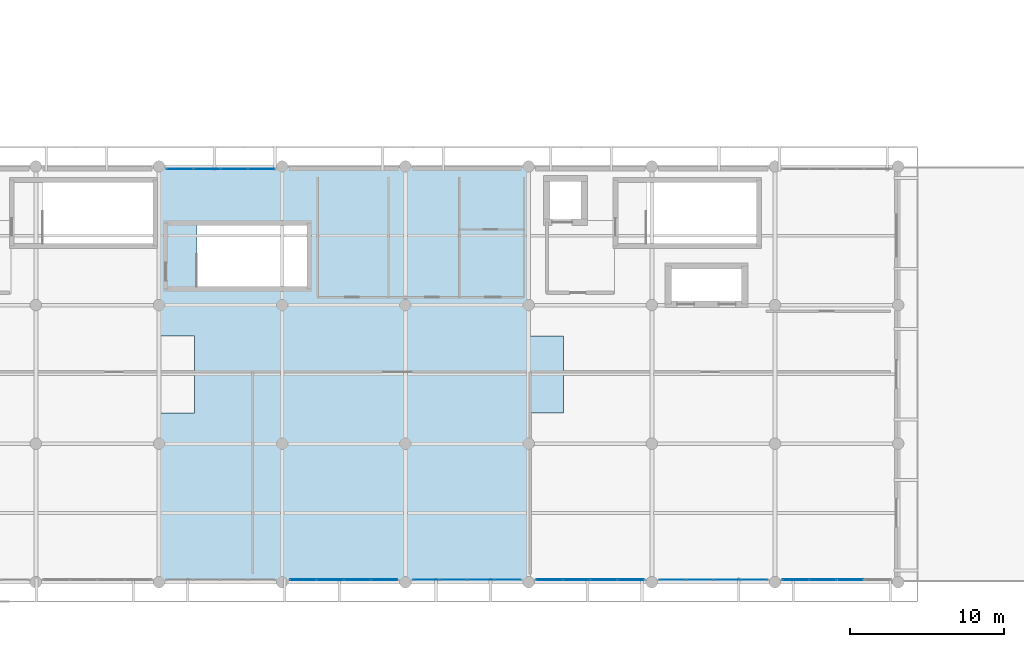
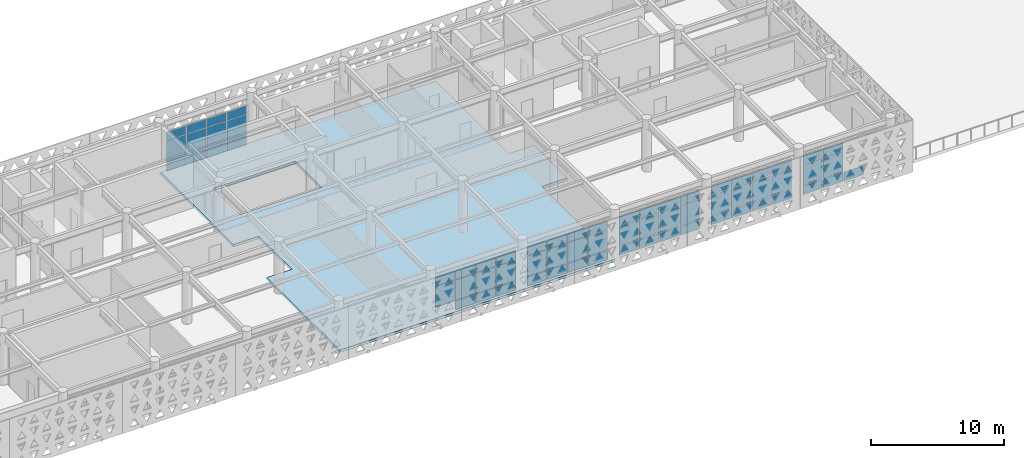
# One storey, part 16 of 26: 66 plates, 1 slab, 6 elements without a shape of their own.
"""IFC4 building model written with IfcOpenShell, lengths in metres."""

import ifcopenshell
import ifcopenshell.guid

model = None  # the IFC model being written
_history = None  # IfcOwnerHistory: only IFC2X3 demands one
_inside = {}  # id of a spatial element -> (the spatial element, [elements in it])
_under = {}  # id of a project, library or spatial element -> (it, [spatial elements below it])
_declared = {}  # id of a project -> (the project, [libraries it declares])
_typed = {}  # id of a type object -> (the type object, [elements of that type])
_made_of = {}  # id of a material, layer set ... -> (it, [elements and type objects made of it])


def new_model(schema):
    """Start an empty IFC model of exactly this schema.

    Asked for "IFC4X3", IfcOpenShell would pick the latest addendum, in which some entities
    have other attributes; the version numbers below select the first issue.
    IFC2X3 requires an IfcOwnerHistory on every rooted entity: one is made here for all.
    """
    global model, _history
    if schema == "IFC4X3":
        model = ifcopenshell.file(schema_version=(4, 3, 0, 0))
    else:
        model = ifcopenshell.file(schema=schema)
    _inside.clear()
    _under.clear()
    _declared.clear()
    _typed.clear()
    _made_of.clear()
    _history = None
    if model.schema == "IFC2X3":
        org = make("IfcOrganization", Name="unknown")
        user = make(
            "IfcPersonAndOrganization",
            ThePerson=make("IfcPerson", FamilyName="unknown"),
            TheOrganization=org,
        )
        app = make(
            "IfcApplication",
            ApplicationDeveloper=org,
            Version="unknown",
            ApplicationFullName="unknown",
            ApplicationIdentifier="unknown",
        )
        _history = make(
            "IfcOwnerHistory",
            OwningUser=user,
            OwningApplication=app,
            ChangeAction="ADDED",
            CreationDate=0,
        )
    return model


def make(cls, **values):
    """One entity of the class cls with the attributes given. An attribute that is None is left unset."""
    return model.create_entity(
        cls, **{name: value for name, value in values.items() if value is not None}
    )


def rooted(cls, **values):
    """An entity with a GlobalId (a new one), such as an element, a storey or a relation."""
    return make(cls, GlobalId=ifcopenshell.guid.new(), OwnerHistory=_history, **values)


def si_unit(unit_type, name, prefix=None):
    """IfcSIUnit, for example si_unit("LENGTHUNIT", "METRE", prefix="MILLI")."""
    return make("IfcSIUnit", UnitType=unit_type, Prefix=prefix, Name=name)


def assignment(units):
    """IfcUnitAssignment: the units of a project."""
    return None if units is None else make("IfcUnitAssignment", Units=units)


def point(xyz):
    """IfcCartesianPoint."""
    return None if xyz is None else make("IfcCartesianPoint", Coordinates=xyz)


def direction(xyz):
    """IfcDirection."""
    return None if xyz is None else make("IfcDirection", DirectionRatios=xyz)


def frame(location, z_axis=None, x_axis=None):
    """IfcAxis2Placement3D, a coordinate frame: its origin and axes. An axis left out is left unset."""
    return make(
        "IfcAxis2Placement3D",
        Location=point(location),
        Axis=direction(z_axis),
        RefDirection=direction(x_axis),
    )


def frame_2d(location, x_axis=None):
    """IfcAxis2Placement2D, a coordinate frame in the plane: its origin and x axis."""
    return make(
        "IfcAxis2Placement2D", Location=point(location), RefDirection=direction(x_axis)
    )


def origin():
    """The frame at (0, 0, 0) with its axes left unset."""
    return frame((0.0, 0.0, 0.0))


def origin_2d():
    """The frame at (0, 0) in the plane with its x axis left unset."""
    return frame_2d((0.0, 0.0))


def place(relative_to, where):
    """IfcLocalPlacement: puts the frame where relative to a parent placement (None: the world)."""
    return make(
        "IfcLocalPlacement", PlacementRelTo=relative_to, RelativePlacement=where
    )


def context(
    kind, dimensions, precision=None, world=None, true_north=None, identifier=None
):
    """IfcGeometricRepresentationContext, for example the 3D "Model" context."""
    return make(
        "IfcGeometricRepresentationContext",
        ContextIdentifier=identifier,
        ContextType=kind,
        CoordinateSpaceDimension=dimensions,
        Precision=precision,
        WorldCoordinateSystem=world,
        TrueNorth=true_north,
    )


def subcontext(parent, identifier, kind, view, scale=None):
    """IfcGeometricRepresentationSubContext, for example "Body" below "Model"."""
    return make(
        "IfcGeometricRepresentationSubContext",
        ContextIdentifier=identifier,
        ContextType=kind,
        ParentContext=parent,
        TargetScale=scale,
        TargetView=view,
    )


def project(units=None, contexts=None):
    """IfcProject with its units and contexts."""
    return rooted(
        "IfcProject",
        Name="project",
        RepresentationContexts=contexts,
        UnitsInContext=assignment(units),
    )


def spatial(cls, under=None, at=None, **own):
    """A site, building, storey or space (cls), placed at a placement, below another one or the project."""
    s = rooted(cls, ObjectPlacement=at, **own)
    if under is not None:
        _under.setdefault(under.id(), (under, []))[1].append(s)
    return s


def polyline(points):
    """IfcPolyline through the points."""
    return make("IfcPolyline", Points=[point(p) for p in points])


def profile(cls, at=None, kind="AREA", **sizes):
    """A parametric profile (cls). Its sizes go by their IFC names, for example OverallWidth=200.0."""
    return make(cls, ProfileType=kind, Position=at, **sizes)


def rectangle(**sizes):
    """IfcRectangleProfileDef."""
    return profile("IfcRectangleProfileDef", **sizes)


def outline(outer, holes=None, kind="AREA"):
    """IfcArbitraryClosedProfileDef: a profile drawn as a closed curve; with holes, ...WithVoids."""
    if holes is None:
        return make("IfcArbitraryClosedProfileDef", ProfileType=kind, OuterCurve=outer)
    return make(
        "IfcArbitraryProfileDefWithVoids",
        ProfileType=kind,
        OuterCurve=outer,
        InnerCurves=holes,
    )


def extrude(swept, where, along, depth):
    """IfcExtrudedAreaSolid: the profile swept, set in the frame where, extruded along a direction by depth."""
    return make(
        "IfcExtrudedAreaSolid",
        SweptArea=swept,
        Position=where,
        ExtrudedDirection=direction(along),
        Depth=depth,
    )


def shape(context_of_items, identifier, shape_type, items):
    """IfcShapeRepresentation: the items that make up one representation, for example the "Body"."""
    return make(
        "IfcShapeRepresentation",
        ContextOfItems=context_of_items,
        RepresentationIdentifier=identifier,
        RepresentationType=shape_type,
        Items=items,
    )


def material(Name=None, Category=None):
    """IfcMaterial."""
    return make("IfcMaterial", Name=Name, Category=Category)


def layer(
    of_material, thickness, ventilated=None, Name=None, Category=None, Priority=None
):
    """IfcMaterialLayer: one layer of a wall or slab, of a material (None: an air gap)."""
    return make(
        "IfcMaterialLayer",
        Material=of_material,
        LayerThickness=thickness,
        IsVentilated=ventilated,
        Name=Name,
        Category=Category,
        Priority=Priority,
    )


def layer_set(layers, Name=None):
    """IfcMaterialLayerSet."""
    return make("IfcMaterialLayerSet", MaterialLayers=layers, LayerSetName=Name)


def made_of(thing, what):
    """Note that an element or type object is made of a material, layer set ...; save() writes the relation."""
    if what is not None:
        _made_of.setdefault(what.id(), (what, []))[1].append(thing)
    return thing


def type_object(cls, material=None, **own):
    """A type object (cls), such as IfcWallType, which elements share."""
    return made_of(rooted(cls, **own), material)


def element(
    cls,
    number,
    at=None,
    inside=None,
    cuts=None,
    type_object=None,
    material=None,
    context=None,
    identifier="Body",
    shape_type=None,
    held_by="IfcProductDefinitionShape",
    body=None,
    shapes=None,
    **own,
):
    """One element of the class cls, such as IfcWall. Its Tag is "e" and its number.

    at: its placement. inside: the storey or other place that contains it. cuts: it is an
    opening in that element (IfcRelVoidsElement). A single representation is given by context,
    identifier, shape_type and body (its items); several are given by shapes. held_by: the class
    of the entity that holds the representations. save() writes the other relations.
    """
    e = rooted(cls, Tag="e%d" % number, ObjectPlacement=at, **own)
    if body is not None:
        shapes = [shape(context, identifier, shape_type, body)]
    if shapes is not None:
        e.Representation = make(held_by, Representations=shapes)
    if inside is not None:
        _inside.setdefault(inside.id(), (inside, []))[1].append(e)
    if cuts is not None:
        rooted(
            "IfcRelVoidsElement", RelatingBuildingElement=cuts, RelatedOpeningElement=e
        )
    if type_object is not None:
        _typed.setdefault(type_object.id(), (type_object, []))[1].append(e)
    return made_of(e, material)


def aggregate(whole, parts):
    """IfcRelAggregates: a whole, such as a stair, and the parts it consists of."""
    return rooted("IfcRelAggregates", RelatingObject=whole, RelatedObjects=parts)


def save(model, path):
    """Write the relations noted so far, then the file.

    IfcRelAggregates (storeys below a building ...), IfcRelContainedInSpatialStructure (elements
    in a storey), IfcRelDefinesByType, IfcRelAssociatesMaterial and IfcRelDeclares: one each for
    every whole, place, type object, material and project.
    """
    for whole, parts in _under.values():
        aggregate(whole, parts)
    for where, things in _inside.values():
        rooted(
            "IfcRelContainedInSpatialStructure",
            RelatedElements=things,
            RelatingStructure=where,
        )
    for kind, things in _typed.values():
        rooted("IfcRelDefinesByType", RelatedObjects=things, RelatingType=kind)
    for what, things in _made_of.values():
        rooted("IfcRelAssociatesMaterial", RelatedObjects=things, RelatingMaterial=what)
    for by, libraries in _declared.values():
        rooted("IfcRelDeclares", RelatingContext=by, RelatedDefinitions=libraries)
    model.write(path)


model = new_model("IFC4")

# Units and contexts
model_context = context("Model", 3, precision=1e-05, world=origin(), true_north=direction((0.0, 1.0)))
body_context = subcontext(model_context, "Body", "Model", "MODEL_VIEW")
ifc_project = project(units=[si_unit("LENGTHUNIT", "METRE"), si_unit("AREAUNIT", "SQUARE_METRE"), si_unit("VOLUMEUNIT", "CUBIC_METRE"), si_unit("PLANEANGLEUNIT", "RADIAN"), si_unit("MASSUNIT", "GRAM", prefix="KILO")], contexts=[model_context])

# Site, building, storey
site_placement = place(None, origin())
site = spatial("IfcSite", under=ifc_project, at=site_placement, CompositionType="ELEMENT")
building_placement = place(site_placement, origin())
building = spatial("IfcBuilding", under=site, at=building_placement, Name="Tlacozan Convention Centre", CompositionType="ELEMENT")
storey_placement = place(building_placement, frame((0.0, 0.0, 21.0)))
storey = spatial("IfcBuildingStorey", under=building, at=storey_placement, Name="L04", CompositionType="ELEMENT", Elevation=21.0)

# Slab
ifc_material_1 = material(Name="Concrete C40/50", Category="concrete")
ifc_layer_1 = layer(ifc_material_1, 0.239990234375)
ifc_layer_set_1 = layer_set([ifc_layer_1], Name="Concrete C40/50")
slab_type = type_object("IfcSlabType", Name="Belvedere Congress Floor Slab 240", PredefinedType="FLOOR", material=ifc_layer_set_1)
slab_placement = place(storey_placement, frame((0.0, 0.0, -0.239990234375)))
element("IfcSlab", 1, at=slab_placement, inside=storey, type_object=slab_type, Name="L04 Belvedere Congress Floor Slab 240 86", PredefinedType="FLOOR", context=body_context, shape_type="SweptSolid", body=[
    extrude(outline(polyline([(48.10009765625, 11.0), (50.300048828125, 11.0), (50.300048828125, 16.0), (48.10009765625, 16.0), (48.10009765625, 27.0), (72.050048828125, 27.0), (72.050048828125, 16.0), (74.25, 16.0), (74.25, 11.0), (72.050048828125, 11.0), (72.050048828125, 0.0), (48.10009765625, 0.0), (48.10009765625, 11.0)]), holes=[polyline([(57.60009765625, 19.199951171875), (57.60009765625, 23.159912109375), (50.47998046875, 23.159912109375), (50.47998046875, 19.199951171875), (57.60009765625, 19.199951171875)])]), origin(), (0.0, 0.0, 1.0), 0.239990234375),
])

# Curtain wall, plates
ifc_material_2 = material(Name="Dark Bronze Anodised Aluminium", Category="aluminium")
ifc_layer_2 = layer(ifc_material_2, 0.159912109375)
ifc_layer_set_2 = layer_set([ifc_layer_2], Name="Dark Bronze Anodised Aluminium")
curtain_wall_type = type_object("IfcCurtainWallType", Name="Unitised Congress L04 South CW05", PredefinedType="NOTDEFINED", material=ifc_layer_set_2)
curtain_wall_1_placement = place(storey_placement, origin())
curtain_wall_1 = element("IfcCurtainWall", 2, at=curtain_wall_1_placement, inside=storey, type_object=curtain_wall_type, Name="L04 CW-05 Run 136", PredefinedType="NOTDEFINED")
ifc_material_3 = material(Name="Solar Control Double Low-E Argon Glazing", Category="glass")
ifc_layer_3 = layer(ifc_material_3, 0.030029296875)
ifc_layer_set_3 = layer_set([ifc_layer_3], Name="Solar Control Double Low-E Argon Glazing")
plate_type_1 = type_object("IfcPlateType", Name="Double Low-E Acoustic CW Panel 30", PredefinedType="CURTAIN_PANEL", material=ifc_layer_set_3)
plate_1_placement = place(storey_placement, frame((49.353759765625, 26.840087890625, 0.06494140625), z_axis=(0.0, 0.0, 1.0), x_axis=(1.0, 0.0, 0.0)))
plate_1 = element("IfcPlate", 3, at=plate_1_placement, type_object=plate_type_1, Name="CW-05 panel 1.1", PredefinedType="CURTAIN_PANEL", context=body_context, shape_type="SweptSolid", body=[
    extrude(rectangle(XDim=1.677490234375, YDim=0.030029296875, at=origin_2d()), origin(), (0.0, 0.0, 1.0), 0.802490234375),
])
plate_2_placement = place(storey_placement, frame((49.353759765625, 26.840087890625, 0.9326171875), z_axis=(0.0, 0.0, 1.0), x_axis=(1.0, 0.0, 0.0)))
plate_2 = element("IfcPlate", 4, at=plate_2_placement, type_object=plate_type_1, Name="CW-05 panel 1.2", PredefinedType="CURTAIN_PANEL", context=body_context, shape_type="SweptSolid", body=[
    extrude(rectangle(XDim=1.677490234375, YDim=0.030029296875, at=origin_2d()), origin(), (0.0, 0.0, 1.0), 1.864990234375),
])
plate_3_placement = place(storey_placement, frame((49.353759765625, 26.840087890625, 2.862548828125), z_axis=(0.0, 0.0, 1.0), x_axis=(1.0, 0.0, 0.0)))
plate_3 = element("IfcPlate", 5, at=plate_3_placement, type_object=plate_type_1, Name="CW-05 panel 1.3", PredefinedType="CURTAIN_PANEL", context=body_context, shape_type="SweptSolid", body=[
    extrude(rectangle(XDim=1.677490234375, YDim=0.030029296875, at=origin_2d()), origin(), (0.0, 0.0, 1.0), 0.75244140625),
])
plate_4_placement = place(storey_placement, frame((51.112548828125, 26.840087890625, 0.06494140625), z_axis=(0.0, 0.0, 1.0), x_axis=(1.0, 0.0, 0.0)))
plate_4 = element("IfcPlate", 6, at=plate_4_placement, type_object=plate_type_1, Name="CW-05 panel 2.1", PredefinedType="CURTAIN_PANEL", context=body_context, shape_type="SweptSolid", body=[
    extrude(rectangle(XDim=1.7099609375, YDim=0.030029296875, at=origin_2d()), origin(), (0.0, 0.0, 1.0), 0.802490234375),
])
plate_5_placement = place(storey_placement, frame((51.112548828125, 26.840087890625, 0.9326171875), z_axis=(0.0, 0.0, 1.0), x_axis=(1.0, 0.0, 0.0)))
plate_5 = element("IfcPlate", 7, at=plate_5_placement, type_object=plate_type_1, Name="CW-05 panel 2.2", PredefinedType="CURTAIN_PANEL", context=body_context, shape_type="SweptSolid", body=[
    extrude(rectangle(XDim=1.7099609375, YDim=0.030029296875, at=origin_2d()), origin(), (0.0, 0.0, 1.0), 1.864990234375),
])
plate_6_placement = place(storey_placement, frame((51.112548828125, 26.840087890625, 2.862548828125), z_axis=(0.0, 0.0, 1.0), x_axis=(1.0, 0.0, 0.0)))
plate_6 = element("IfcPlate", 8, at=plate_6_placement, type_object=plate_type_1, Name="CW-05 panel 2.3", PredefinedType="CURTAIN_PANEL", context=body_context, shape_type="SweptSolid", body=[
    extrude(rectangle(XDim=1.7099609375, YDim=0.030029296875, at=origin_2d()), origin(), (0.0, 0.0, 1.0), 0.75244140625),
])
plate_7_placement = place(storey_placement, frame((52.887451171875, 26.840087890625, 0.06494140625), z_axis=(0.0, 0.0, 1.0), x_axis=(1.0, 0.0, 0.0)))
plate_7 = element("IfcPlate", 9, at=plate_7_placement, type_object=plate_type_1, Name="CW-05 panel 3.1", PredefinedType="CURTAIN_PANEL", context=body_context, shape_type="SweptSolid", body=[
    extrude(rectangle(XDim=1.7099609375, YDim=0.030029296875, at=origin_2d()), origin(), (0.0, 0.0, 1.0), 0.802490234375),
])
plate_8_placement = place(storey_placement, frame((52.887451171875, 26.840087890625, 0.9326171875), z_axis=(0.0, 0.0, 1.0), x_axis=(1.0, 0.0, 0.0)))
plate_8 = element("IfcPlate", 10, at=plate_8_placement, type_object=plate_type_1, Name="CW-05 panel 3.2", PredefinedType="CURTAIN_PANEL", context=body_context, shape_type="SweptSolid", body=[
    extrude(rectangle(XDim=1.7099609375, YDim=0.030029296875, at=origin_2d()), origin(), (0.0, 0.0, 1.0), 1.864990234375),
])
plate_9_placement = place(storey_placement, frame((52.887451171875, 26.840087890625, 2.862548828125), z_axis=(0.0, 0.0, 1.0), x_axis=(1.0, 0.0, 0.0)))
plate_9 = element("IfcPlate", 11, at=plate_9_placement, type_object=plate_type_1, Name="CW-05 panel 3.3", PredefinedType="CURTAIN_PANEL", context=body_context, shape_type="SweptSolid", body=[
    extrude(rectangle(XDim=1.7099609375, YDim=0.030029296875, at=origin_2d()), origin(), (0.0, 0.0, 1.0), 0.75244140625),
])
plate_10_placement = place(storey_placement, frame((54.646240234375, 26.840087890625, 0.06494140625), z_axis=(0.0, 0.0, 1.0), x_axis=(1.0, 0.0, 0.0)))
plate_10 = element("IfcPlate", 12, at=plate_10_placement, type_object=plate_type_1, Name="CW-05 panel 4.1", PredefinedType="CURTAIN_PANEL", context=body_context, shape_type="SweptSolid", body=[
    extrude(rectangle(XDim=1.677490234375, YDim=0.030029296875, at=origin_2d()), origin(), (0.0, 0.0, 1.0), 0.802490234375),
])
plate_11_placement = place(storey_placement, frame((54.646240234375, 26.840087890625, 0.9326171875), z_axis=(0.0, 0.0, 1.0), x_axis=(1.0, 0.0, 0.0)))
plate_11 = element("IfcPlate", 13, at=plate_11_placement, type_object=plate_type_1, Name="CW-05 panel 4.2", PredefinedType="CURTAIN_PANEL", context=body_context, shape_type="SweptSolid", body=[
    extrude(rectangle(XDim=1.677490234375, YDim=0.030029296875, at=origin_2d()), origin(), (0.0, 0.0, 1.0), 1.864990234375),
])
plate_12_placement = place(storey_placement, frame((54.646240234375, 26.840087890625, 2.862548828125), z_axis=(0.0, 0.0, 1.0), x_axis=(1.0, 0.0, 0.0)))
plate_12 = element("IfcPlate", 14, at=plate_12_placement, type_object=plate_type_1, Name="CW-05 panel 4.3", PredefinedType="CURTAIN_PANEL", context=body_context, shape_type="SweptSolid", body=[
    extrude(rectangle(XDim=1.677490234375, YDim=0.030029296875, at=origin_2d()), origin(), (0.0, 0.0, 1.0), 0.75244140625),
])
aggregate(curtain_wall_1, [plate_1, plate_2, plate_3, plate_4, plate_5, plate_6, plate_7, plate_8, plate_9, plate_10, plate_11, plate_12])

curtain_wall_2_placement = place(storey_placement, origin())
curtain_wall_2 = element("IfcCurtainWall", 15, at=curtain_wall_2_placement, inside=storey, type_object=curtain_wall_type, Name="L04 CW-05 Run 130", PredefinedType="NOTDEFINED")
ifc_layer_4 = layer(ifc_material_3, 0.02001953125)
ifc_layer_set_4 = layer_set([ifc_layer_4], Name="Solar Control Double Low-E Argon Glazing")
plate_type_2 = type_object("IfcPlateType", Name="Double Low-E Glazed CW Panel 20", PredefinedType="CURTAIN_PANEL", material=ifc_layer_set_4)
plate_13_placement = place(storey_placement, frame((65.353759765625, 0.159912109375, 0.06494140625), z_axis=(0.0, 0.0, 1.0), x_axis=(1.0, 0.0, 0.0)))
plate_13 = element("IfcPlate", 16, at=plate_13_placement, type_object=plate_type_2, Name="CW-05 panel 1.1", PredefinedType="CURTAIN_PANEL", context=body_context, shape_type="SweptSolid", body=[
    extrude(rectangle(XDim=1.677490234375, YDim=0.02001953125, at=origin_2d()), origin(), (0.0, 0.0, 1.0), 0.802490234375),
])
plate_14_placement = place(storey_placement, frame((65.353759765625, 0.159912109375, 0.9326171875), z_axis=(0.0, 0.0, 1.0), x_axis=(1.0, 0.0, 0.0)))
plate_14 = element("IfcPlate", 17, at=plate_14_placement, type_object=plate_type_2, Name="CW-05 panel 1.2", PredefinedType="CURTAIN_PANEL", context=body_context, shape_type="SweptSolid", body=[
    extrude(rectangle(XDim=1.677490234375, YDim=0.02001953125, at=origin_2d()), origin(), (0.0, 0.0, 1.0), 1.864990234375),
])
plate_15_placement = place(storey_placement, frame((65.353759765625, 0.159912109375, 2.862548828125), z_axis=(0.0, 0.0, 1.0), x_axis=(1.0, 0.0, 0.0)))
plate_15 = element("IfcPlate", 18, at=plate_15_placement, type_object=plate_type_2, Name="CW-05 panel 1.3", PredefinedType="CURTAIN_PANEL", context=body_context, shape_type="SweptSolid", body=[
    extrude(rectangle(XDim=1.677490234375, YDim=0.02001953125, at=origin_2d()), origin(), (0.0, 0.0, 1.0), 0.75244140625),
])
plate_16_placement = place(storey_placement, frame((67.112548828125, 0.159912109375, 0.06494140625), z_axis=(0.0, 0.0, 1.0), x_axis=(1.0, 0.0, 0.0)))
plate_16 = element("IfcPlate", 19, at=plate_16_placement, type_object=plate_type_2, Name="CW-05 panel 2.1", PredefinedType="CURTAIN_PANEL", context=body_context, shape_type="SweptSolid", body=[
    extrude(rectangle(XDim=1.7099609375, YDim=0.02001953125, at=origin_2d()), origin(), (0.0, 0.0, 1.0), 0.802490234375),
])
plate_17_placement = place(storey_placement, frame((67.112548828125, 0.159912109375, 0.9326171875), z_axis=(0.0, 0.0, 1.0), x_axis=(1.0, 0.0, 0.0)))
plate_17 = element("IfcPlate", 20, at=plate_17_placement, type_object=plate_type_2, Name="CW-05 panel 2.2", PredefinedType="CURTAIN_PANEL", context=body_context, shape_type="SweptSolid", body=[
    extrude(rectangle(XDim=1.7099609375, YDim=0.02001953125, at=origin_2d()), origin(), (0.0, 0.0, 1.0), 1.864990234375),
])
plate_18_placement = place(storey_placement, frame((67.112548828125, 0.159912109375, 2.862548828125), z_axis=(0.0, 0.0, 1.0), x_axis=(1.0, 0.0, 0.0)))
plate_18 = element("IfcPlate", 21, at=plate_18_placement, type_object=plate_type_2, Name="CW-05 panel 2.3", PredefinedType="CURTAIN_PANEL", context=body_context, shape_type="SweptSolid", body=[
    extrude(rectangle(XDim=1.7099609375, YDim=0.02001953125, at=origin_2d()), origin(), (0.0, 0.0, 1.0), 0.75244140625),
])
plate_19_placement = place(storey_placement, frame((68.887451171875, 0.159912109375, 0.06494140625), z_axis=(0.0, 0.0, 1.0), x_axis=(1.0, 0.0, 0.0)))
plate_19 = element("IfcPlate", 22, at=plate_19_placement, type_object=plate_type_2, Name="CW-05 panel 3.1", PredefinedType="CURTAIN_PANEL", context=body_context, shape_type="SweptSolid", body=[
    extrude(rectangle(XDim=1.7099609375, YDim=0.02001953125, at=origin_2d()), origin(), (0.0, 0.0, 1.0), 0.802490234375),
])
plate_20_placement = place(storey_placement, frame((68.887451171875, 0.159912109375, 0.9326171875), z_axis=(0.0, 0.0, 1.0), x_axis=(1.0, 0.0, 0.0)))
plate_20 = element("IfcPlate", 23, at=plate_20_placement, type_object=plate_type_2, Name="CW-05 panel 3.2", PredefinedType="CURTAIN_PANEL", context=body_context, shape_type="SweptSolid", body=[
    extrude(rectangle(XDim=1.7099609375, YDim=0.02001953125, at=origin_2d()), origin(), (0.0, 0.0, 1.0), 1.864990234375),
])
plate_21_placement = place(storey_placement, frame((68.887451171875, 0.159912109375, 2.862548828125), z_axis=(0.0, 0.0, 1.0), x_axis=(1.0, 0.0, 0.0)))
plate_21 = element("IfcPlate", 24, at=plate_21_placement, type_object=plate_type_2, Name="CW-05 panel 3.3", PredefinedType="CURTAIN_PANEL", context=body_context, shape_type="SweptSolid", body=[
    extrude(rectangle(XDim=1.7099609375, YDim=0.02001953125, at=origin_2d()), origin(), (0.0, 0.0, 1.0), 0.75244140625),
])
plate_22_placement = place(storey_placement, frame((70.646240234375, 0.159912109375, 0.06494140625), z_axis=(0.0, 0.0, 1.0), x_axis=(1.0, 0.0, 0.0)))
plate_22 = element("IfcPlate", 25, at=plate_22_placement, type_object=plate_type_2, Name="CW-05 panel 4.1", PredefinedType="CURTAIN_PANEL", context=body_context, shape_type="SweptSolid", body=[
    extrude(rectangle(XDim=1.677490234375, YDim=0.02001953125, at=origin_2d()), origin(), (0.0, 0.0, 1.0), 0.802490234375),
])
plate_23_placement = place(storey_placement, frame((70.646240234375, 0.159912109375, 0.9326171875), z_axis=(0.0, 0.0, 1.0), x_axis=(1.0, 0.0, 0.0)))
plate_23 = element("IfcPlate", 26, at=plate_23_placement, type_object=plate_type_2, Name="CW-05 panel 4.2", PredefinedType="CURTAIN_PANEL", context=body_context, shape_type="SweptSolid", body=[
    extrude(rectangle(XDim=1.677490234375, YDim=0.02001953125, at=origin_2d()), origin(), (0.0, 0.0, 1.0), 1.864990234375),
])
plate_24_placement = place(storey_placement, frame((70.646240234375, 0.159912109375, 2.862548828125), z_axis=(0.0, 0.0, 1.0), x_axis=(1.0, 0.0, 0.0)))
plate_24 = element("IfcPlate", 27, at=plate_24_placement, type_object=plate_type_2, Name="CW-05 panel 4.3", PredefinedType="CURTAIN_PANEL", context=body_context, shape_type="SweptSolid", body=[
    extrude(rectangle(XDim=1.677490234375, YDim=0.02001953125, at=origin_2d()), origin(), (0.0, 0.0, 1.0), 0.75244140625),
])
aggregate(curtain_wall_2, [plate_13, plate_14, plate_15, plate_16, plate_17, plate_18, plate_19, plate_20, plate_21, plate_22, plate_23, plate_24])

curtain_wall_3_placement = place(storey_placement, origin())
curtain_wall_3 = element("IfcCurtainWall", 28, at=curtain_wall_3_placement, inside=storey, type_object=curtain_wall_type, Name="L04 CW-05 Run 132", PredefinedType="NOTDEFINED")
plate_25_placement = place(storey_placement, frame((81.353759765625, 0.159912109375, 0.06494140625), z_axis=(0.0, 0.0, 1.0), x_axis=(1.0, 0.0, 0.0)))
plate_25 = element("IfcPlate", 29, at=plate_25_placement, type_object=plate_type_2, Name="CW-05 panel 1.1", PredefinedType="CURTAIN_PANEL", context=body_context, shape_type="SweptSolid", body=[
    extrude(rectangle(XDim=1.677490234375, YDim=0.02001953125, at=origin_2d()), origin(), (0.0, 0.0, 1.0), 0.802490234375),
])
plate_26_placement = place(storey_placement, frame((81.353759765625, 0.159912109375, 0.9326171875), z_axis=(0.0, 0.0, 1.0), x_axis=(1.0, 0.0, 0.0)))
plate_26 = element("IfcPlate", 30, at=plate_26_placement, type_object=plate_type_2, Name="CW-05 panel 1.2", PredefinedType="CURTAIN_PANEL", context=body_context, shape_type="SweptSolid", body=[
    extrude(rectangle(XDim=1.677490234375, YDim=0.02001953125, at=origin_2d()), origin(), (0.0, 0.0, 1.0), 1.864990234375),
])
plate_27_placement = place(storey_placement, frame((81.353759765625, 0.159912109375, 2.862548828125), z_axis=(0.0, 0.0, 1.0), x_axis=(1.0, 0.0, 0.0)))
plate_27 = element("IfcPlate", 31, at=plate_27_placement, type_object=plate_type_2, Name="CW-05 panel 1.3", PredefinedType="CURTAIN_PANEL", context=body_context, shape_type="SweptSolid", body=[
    extrude(rectangle(XDim=1.677490234375, YDim=0.02001953125, at=origin_2d()), origin(), (0.0, 0.0, 1.0), 0.75244140625),
])
plate_28_placement = place(storey_placement, frame((83.112548828125, 0.159912109375, 0.06494140625), z_axis=(0.0, 0.0, 1.0), x_axis=(1.0, 0.0, 0.0)))
plate_28 = element("IfcPlate", 32, at=plate_28_placement, type_object=plate_type_2, Name="CW-05 panel 2.1", PredefinedType="CURTAIN_PANEL", context=body_context, shape_type="SweptSolid", body=[
    extrude(rectangle(XDim=1.7099609375, YDim=0.02001953125, at=origin_2d()), origin(), (0.0, 0.0, 1.0), 0.802490234375),
])
plate_29_placement = place(storey_placement, frame((83.112548828125, 0.159912109375, 0.9326171875), z_axis=(0.0, 0.0, 1.0), x_axis=(1.0, 0.0, 0.0)))
plate_29 = element("IfcPlate", 33, at=plate_29_placement, type_object=plate_type_2, Name="CW-05 panel 2.2", PredefinedType="CURTAIN_PANEL", context=body_context, shape_type="SweptSolid", body=[
    extrude(rectangle(XDim=1.7099609375, YDim=0.02001953125, at=origin_2d()), origin(), (0.0, 0.0, 1.0), 1.864990234375),
])
plate_30_placement = place(storey_placement, frame((83.112548828125, 0.159912109375, 2.862548828125), z_axis=(0.0, 0.0, 1.0), x_axis=(1.0, 0.0, 0.0)))
plate_30 = element("IfcPlate", 34, at=plate_30_placement, type_object=plate_type_2, Name="CW-05 panel 2.3", PredefinedType="CURTAIN_PANEL", context=body_context, shape_type="SweptSolid", body=[
    extrude(rectangle(XDim=1.7099609375, YDim=0.02001953125, at=origin_2d()), origin(), (0.0, 0.0, 1.0), 0.75244140625),
])
plate_31_placement = place(storey_placement, frame((84.887451171875, 0.159912109375, 0.06494140625), z_axis=(0.0, 0.0, 1.0), x_axis=(1.0, 0.0, 0.0)))
plate_31 = element("IfcPlate", 35, at=plate_31_placement, type_object=plate_type_2, Name="CW-05 panel 3.1", PredefinedType="CURTAIN_PANEL", context=body_context, shape_type="SweptSolid", body=[
    extrude(rectangle(XDim=1.7099609375, YDim=0.02001953125, at=origin_2d()), origin(), (0.0, 0.0, 1.0), 0.802490234375),
])
plate_32_placement = place(storey_placement, frame((84.887451171875, 0.159912109375, 0.9326171875), z_axis=(0.0, 0.0, 1.0), x_axis=(1.0, 0.0, 0.0)))
plate_32 = element("IfcPlate", 36, at=plate_32_placement, type_object=plate_type_2, Name="CW-05 panel 3.2", PredefinedType="CURTAIN_PANEL", context=body_context, shape_type="SweptSolid", body=[
    extrude(rectangle(XDim=1.7099609375, YDim=0.02001953125, at=origin_2d()), origin(), (0.0, 0.0, 1.0), 1.864990234375),
])
plate_33_placement = place(storey_placement, frame((84.887451171875, 0.159912109375, 2.862548828125), z_axis=(0.0, 0.0, 1.0), x_axis=(1.0, 0.0, 0.0)))
plate_33 = element("IfcPlate", 37, at=plate_33_placement, type_object=plate_type_2, Name="CW-05 panel 3.3", PredefinedType="CURTAIN_PANEL", context=body_context, shape_type="SweptSolid", body=[
    extrude(rectangle(XDim=1.7099609375, YDim=0.02001953125, at=origin_2d()), origin(), (0.0, 0.0, 1.0), 0.75244140625),
])
plate_34_placement = place(storey_placement, frame((86.646240234375, 0.159912109375, 0.06494140625), z_axis=(0.0, 0.0, 1.0), x_axis=(1.0, 0.0, 0.0)))
plate_34 = element("IfcPlate", 38, at=plate_34_placement, type_object=plate_type_2, Name="CW-05 panel 4.1", PredefinedType="CURTAIN_PANEL", context=body_context, shape_type="SweptSolid", body=[
    extrude(rectangle(XDim=1.677490234375, YDim=0.02001953125, at=origin_2d()), origin(), (0.0, 0.0, 1.0), 0.802490234375),
])
plate_35_placement = place(storey_placement, frame((86.646240234375, 0.159912109375, 0.9326171875), z_axis=(0.0, 0.0, 1.0), x_axis=(1.0, 0.0, 0.0)))
plate_35 = element("IfcPlate", 39, at=plate_35_placement, type_object=plate_type_2, Name="CW-05 panel 4.2", PredefinedType="CURTAIN_PANEL", context=body_context, shape_type="SweptSolid", body=[
    extrude(rectangle(XDim=1.677490234375, YDim=0.02001953125, at=origin_2d()), origin(), (0.0, 0.0, 1.0), 1.864990234375),
])
plate_36_placement = place(storey_placement, frame((86.646240234375, 0.159912109375, 2.862548828125), z_axis=(0.0, 0.0, 1.0), x_axis=(1.0, 0.0, 0.0)))
plate_36 = element("IfcPlate", 40, at=plate_36_placement, type_object=plate_type_2, Name="CW-05 panel 4.3", PredefinedType="CURTAIN_PANEL", context=body_context, shape_type="SweptSolid", body=[
    extrude(rectangle(XDim=1.677490234375, YDim=0.02001953125, at=origin_2d()), origin(), (0.0, 0.0, 1.0), 0.75244140625),
])
aggregate(curtain_wall_3, [plate_25, plate_26, plate_27, plate_28, plate_29, plate_30, plate_31, plate_32, plate_33, plate_34, plate_35, plate_36])

curtain_wall_4_placement = place(storey_placement, origin())
curtain_wall_4 = element("IfcCurtainWall", 41, at=curtain_wall_4_placement, inside=storey, type_object=curtain_wall_type, Name="L04 CW-05 Run 129", PredefinedType="NOTDEFINED")
ifc_layer_5 = layer(ifc_material_3, 0.0400390625)
ifc_layer_set_5 = layer_set([ifc_layer_5], Name="Solar Control Double Low-E Argon Glazing")
plate_type_3 = type_object("IfcPlateType", Name="Insulated Spandrel CW Panel 40", PredefinedType="CURTAIN_PANEL", material=ifc_layer_set_5)
plate_37_placement = place(storey_placement, frame((57.353759765625, 0.159912109375, 0.9326171875), z_axis=(0.0, 0.0, 1.0), x_axis=(1.0, 0.0, 0.0)))
plate_37 = element("IfcPlate", 42, at=plate_37_placement, type_object=plate_type_3, Name="CW-05 panel 1.2", PredefinedType="CURTAIN_PANEL", context=body_context, shape_type="SweptSolid", body=[
    extrude(rectangle(XDim=1.677490234375, YDim=0.0400390625, at=origin_2d()), origin(), (0.0, 0.0, 1.0), 1.864990234375),
])
plate_38_placement = place(storey_placement, frame((57.353759765625, 0.159912109375, 2.862548828125), z_axis=(0.0, 0.0, 1.0), x_axis=(1.0, 0.0, 0.0)))
plate_38 = element("IfcPlate", 43, at=plate_38_placement, type_object=plate_type_3, Name="CW-05 panel 1.3", PredefinedType="CURTAIN_PANEL", context=body_context, shape_type="SweptSolid", body=[
    extrude(rectangle(XDim=1.677490234375, YDim=0.0400390625, at=origin_2d()), origin(), (0.0, 0.0, 1.0), 0.75244140625),
])
plate_39_placement = place(storey_placement, frame((59.112548828125, 0.159912109375, 0.06494140625), z_axis=(0.0, 0.0, 1.0), x_axis=(1.0, 0.0, 0.0)))
plate_39 = element("IfcPlate", 44, at=plate_39_placement, type_object=plate_type_3, Name="CW-05 panel 2.1", PredefinedType="CURTAIN_PANEL", context=body_context, shape_type="SweptSolid", body=[
    extrude(rectangle(XDim=1.7099609375, YDim=0.0400390625, at=origin_2d()), origin(), (0.0, 0.0, 1.0), 0.802490234375),
])
plate_40_placement = place(storey_placement, frame((59.112548828125, 0.159912109375, 0.9326171875), z_axis=(0.0, 0.0, 1.0), x_axis=(1.0, 0.0, 0.0)))
plate_40 = element("IfcPlate", 45, at=plate_40_placement, type_object=plate_type_3, Name="CW-05 panel 2.2", PredefinedType="CURTAIN_PANEL", context=body_context, shape_type="SweptSolid", body=[
    extrude(rectangle(XDim=1.7099609375, YDim=0.0400390625, at=origin_2d()), origin(), (0.0, 0.0, 1.0), 1.864990234375),
])
plate_41_placement = place(storey_placement, frame((59.112548828125, 0.159912109375, 2.862548828125), z_axis=(0.0, 0.0, 1.0), x_axis=(1.0, 0.0, 0.0)))
plate_41 = element("IfcPlate", 46, at=plate_41_placement, type_object=plate_type_3, Name="CW-05 panel 2.3", PredefinedType="CURTAIN_PANEL", context=body_context, shape_type="SweptSolid", body=[
    extrude(rectangle(XDim=1.7099609375, YDim=0.0400390625, at=origin_2d()), origin(), (0.0, 0.0, 1.0), 0.75244140625),
])
plate_42_placement = place(storey_placement, frame((60.887451171875, 0.159912109375, 0.06494140625), z_axis=(0.0, 0.0, 1.0), x_axis=(1.0, 0.0, 0.0)))
plate_42 = element("IfcPlate", 47, at=plate_42_placement, type_object=plate_type_3, Name="CW-05 panel 3.1", PredefinedType="CURTAIN_PANEL", context=body_context, shape_type="SweptSolid", body=[
    extrude(rectangle(XDim=1.7099609375, YDim=0.0400390625, at=origin_2d()), origin(), (0.0, 0.0, 1.0), 0.802490234375),
])
plate_43_placement = place(storey_placement, frame((60.887451171875, 0.159912109375, 0.9326171875), z_axis=(0.0, 0.0, 1.0), x_axis=(1.0, 0.0, 0.0)))
plate_43 = element("IfcPlate", 48, at=plate_43_placement, type_object=plate_type_3, Name="CW-05 panel 3.2", PredefinedType="CURTAIN_PANEL", context=body_context, shape_type="SweptSolid", body=[
    extrude(rectangle(XDim=1.7099609375, YDim=0.0400390625, at=origin_2d()), origin(), (0.0, 0.0, 1.0), 1.864990234375),
])
plate_44_placement = place(storey_placement, frame((60.887451171875, 0.159912109375, 2.862548828125), z_axis=(0.0, 0.0, 1.0), x_axis=(1.0, 0.0, 0.0)))
plate_44 = element("IfcPlate", 49, at=plate_44_placement, type_object=plate_type_3, Name="CW-05 panel 3.3", PredefinedType="CURTAIN_PANEL", context=body_context, shape_type="SweptSolid", body=[
    extrude(rectangle(XDim=1.7099609375, YDim=0.0400390625, at=origin_2d()), origin(), (0.0, 0.0, 1.0), 0.75244140625),
])
plate_45_placement = place(storey_placement, frame((62.646240234375, 0.159912109375, 0.06494140625), z_axis=(0.0, 0.0, 1.0), x_axis=(1.0, 0.0, 0.0)))
plate_45 = element("IfcPlate", 50, at=plate_45_placement, type_object=plate_type_3, Name="CW-05 panel 4.1", PredefinedType="CURTAIN_PANEL", context=body_context, shape_type="SweptSolid", body=[
    extrude(rectangle(XDim=1.677490234375, YDim=0.0400390625, at=origin_2d()), origin(), (0.0, 0.0, 1.0), 0.802490234375),
])
plate_46_placement = place(storey_placement, frame((62.646240234375, 0.159912109375, 0.9326171875), z_axis=(0.0, 0.0, 1.0), x_axis=(1.0, 0.0, 0.0)))
plate_46 = element("IfcPlate", 51, at=plate_46_placement, type_object=plate_type_3, Name="CW-05 panel 4.2", PredefinedType="CURTAIN_PANEL", context=body_context, shape_type="SweptSolid", body=[
    extrude(rectangle(XDim=1.677490234375, YDim=0.0400390625, at=origin_2d()), origin(), (0.0, 0.0, 1.0), 1.864990234375),
])
plate_47_placement = place(storey_placement, frame((62.646240234375, 0.159912109375, 2.862548828125), z_axis=(0.0, 0.0, 1.0), x_axis=(1.0, 0.0, 0.0)))
plate_47 = element("IfcPlate", 52, at=plate_47_placement, type_object=plate_type_3, Name="CW-05 panel 4.3", PredefinedType="CURTAIN_PANEL", context=body_context, shape_type="SweptSolid", body=[
    extrude(rectangle(XDim=1.677490234375, YDim=0.0400390625, at=origin_2d()), origin(), (0.0, 0.0, 1.0), 0.75244140625),
])
aggregate(curtain_wall_4, [plate_37, plate_38, plate_39, plate_40, plate_41, plate_42, plate_43, plate_44, plate_45, plate_46, plate_47])

curtain_wall_5_placement = place(storey_placement, origin())
curtain_wall_5 = element("IfcCurtainWall", 53, at=curtain_wall_5_placement, inside=storey, type_object=curtain_wall_type, Name="L04 CW-05 Run 131", PredefinedType="NOTDEFINED")
plate_48_placement = place(storey_placement, frame((73.353759765625, 0.159912109375, 0.06494140625), z_axis=(0.0, 0.0, 1.0), x_axis=(1.0, 0.0, 0.0)))
plate_48 = element("IfcPlate", 54, at=plate_48_placement, type_object=plate_type_3, Name="CW-05 panel 1.1", PredefinedType="CURTAIN_PANEL", context=body_context, shape_type="SweptSolid", body=[
    extrude(rectangle(XDim=1.677490234375, YDim=0.0400390625, at=origin_2d()), origin(), (0.0, 0.0, 1.0), 0.802490234375),
])
plate_49_placement = place(storey_placement, frame((73.353759765625, 0.159912109375, 0.9326171875), z_axis=(0.0, 0.0, 1.0), x_axis=(1.0, 0.0, 0.0)))
plate_49 = element("IfcPlate", 55, at=plate_49_placement, type_object=plate_type_3, Name="CW-05 panel 1.2", PredefinedType="CURTAIN_PANEL", context=body_context, shape_type="SweptSolid", body=[
    extrude(rectangle(XDim=1.677490234375, YDim=0.0400390625, at=origin_2d()), origin(), (0.0, 0.0, 1.0), 1.864990234375),
])
plate_50_placement = place(storey_placement, frame((73.353759765625, 0.159912109375, 2.862548828125), z_axis=(0.0, 0.0, 1.0), x_axis=(1.0, 0.0, 0.0)))
plate_50 = element("IfcPlate", 56, at=plate_50_placement, type_object=plate_type_3, Name="CW-05 panel 1.3", PredefinedType="CURTAIN_PANEL", context=body_context, shape_type="SweptSolid", body=[
    extrude(rectangle(XDim=1.677490234375, YDim=0.0400390625, at=origin_2d()), origin(), (0.0, 0.0, 1.0), 0.75244140625),
])
plate_51_placement = place(storey_placement, frame((75.112548828125, 0.159912109375, 0.06494140625), z_axis=(0.0, 0.0, 1.0), x_axis=(1.0, 0.0, 0.0)))
plate_51 = element("IfcPlate", 57, at=plate_51_placement, type_object=plate_type_3, Name="CW-05 panel 2.1", PredefinedType="CURTAIN_PANEL", context=body_context, shape_type="SweptSolid", body=[
    extrude(rectangle(XDim=1.7099609375, YDim=0.0400390625, at=origin_2d()), origin(), (0.0, 0.0, 1.0), 0.802490234375),
])
plate_52_placement = place(storey_placement, frame((75.112548828125, 0.159912109375, 0.9326171875), z_axis=(0.0, 0.0, 1.0), x_axis=(1.0, 0.0, 0.0)))
plate_52 = element("IfcPlate", 58, at=plate_52_placement, type_object=plate_type_3, Name="CW-05 panel 2.2", PredefinedType="CURTAIN_PANEL", context=body_context, shape_type="SweptSolid", body=[
    extrude(rectangle(XDim=1.7099609375, YDim=0.0400390625, at=origin_2d()), origin(), (0.0, 0.0, 1.0), 1.864990234375),
])
plate_53_placement = place(storey_placement, frame((75.112548828125, 0.159912109375, 2.862548828125), z_axis=(0.0, 0.0, 1.0), x_axis=(1.0, 0.0, 0.0)))
plate_53 = element("IfcPlate", 59, at=plate_53_placement, type_object=plate_type_3, Name="CW-05 panel 2.3", PredefinedType="CURTAIN_PANEL", context=body_context, shape_type="SweptSolid", body=[
    extrude(rectangle(XDim=1.7099609375, YDim=0.0400390625, at=origin_2d()), origin(), (0.0, 0.0, 1.0), 0.75244140625),
])
plate_54_placement = place(storey_placement, frame((76.887451171875, 0.159912109375, 0.06494140625), z_axis=(0.0, 0.0, 1.0), x_axis=(1.0, 0.0, 0.0)))
plate_54 = element("IfcPlate", 60, at=plate_54_placement, type_object=plate_type_3, Name="CW-05 panel 3.1", PredefinedType="CURTAIN_PANEL", context=body_context, shape_type="SweptSolid", body=[
    extrude(rectangle(XDim=1.7099609375, YDim=0.0400390625, at=origin_2d()), origin(), (0.0, 0.0, 1.0), 0.802490234375),
])
plate_55_placement = place(storey_placement, frame((76.887451171875, 0.159912109375, 0.9326171875), z_axis=(0.0, 0.0, 1.0), x_axis=(1.0, 0.0, 0.0)))
plate_55 = element("IfcPlate", 61, at=plate_55_placement, type_object=plate_type_3, Name="CW-05 panel 3.2", PredefinedType="CURTAIN_PANEL", context=body_context, shape_type="SweptSolid", body=[
    extrude(rectangle(XDim=1.7099609375, YDim=0.0400390625, at=origin_2d()), origin(), (0.0, 0.0, 1.0), 1.864990234375),
])
plate_56_placement = place(storey_placement, frame((76.887451171875, 0.159912109375, 2.862548828125), z_axis=(0.0, 0.0, 1.0), x_axis=(1.0, 0.0, 0.0)))
plate_56 = element("IfcPlate", 62, at=plate_56_placement, type_object=plate_type_3, Name="CW-05 panel 3.3", PredefinedType="CURTAIN_PANEL", context=body_context, shape_type="SweptSolid", body=[
    extrude(rectangle(XDim=1.7099609375, YDim=0.0400390625, at=origin_2d()), origin(), (0.0, 0.0, 1.0), 0.75244140625),
])
plate_57_placement = place(storey_placement, frame((78.646240234375, 0.159912109375, 0.06494140625), z_axis=(0.0, 0.0, 1.0), x_axis=(1.0, 0.0, 0.0)))
plate_57 = element("IfcPlate", 63, at=plate_57_placement, type_object=plate_type_3, Name="CW-05 panel 4.1", PredefinedType="CURTAIN_PANEL", context=body_context, shape_type="SweptSolid", body=[
    extrude(rectangle(XDim=1.677490234375, YDim=0.0400390625, at=origin_2d()), origin(), (0.0, 0.0, 1.0), 0.802490234375),
])
plate_58_placement = place(storey_placement, frame((78.646240234375, 0.159912109375, 0.9326171875), z_axis=(0.0, 0.0, 1.0), x_axis=(1.0, 0.0, 0.0)))
plate_58 = element("IfcPlate", 64, at=plate_58_placement, type_object=plate_type_3, Name="CW-05 panel 4.2", PredefinedType="CURTAIN_PANEL", context=body_context, shape_type="SweptSolid", body=[
    extrude(rectangle(XDim=1.677490234375, YDim=0.0400390625, at=origin_2d()), origin(), (0.0, 0.0, 1.0), 1.864990234375),
])
plate_59_placement = place(storey_placement, frame((78.646240234375, 0.159912109375, 2.862548828125), z_axis=(0.0, 0.0, 1.0), x_axis=(1.0, 0.0, 0.0)))
plate_59 = element("IfcPlate", 65, at=plate_59_placement, type_object=plate_type_3, Name="CW-05 panel 4.3", PredefinedType="CURTAIN_PANEL", context=body_context, shape_type="SweptSolid", body=[
    extrude(rectangle(XDim=1.677490234375, YDim=0.0400390625, at=origin_2d()), origin(), (0.0, 0.0, 1.0), 0.75244140625),
])
aggregate(curtain_wall_5, [plate_48, plate_49, plate_50, plate_51, plate_52, plate_53, plate_54, plate_55, plate_56, plate_57, plate_58, plate_59])

curtain_wall_6_placement = place(storey_placement, origin())
curtain_wall_6 = element("IfcCurtainWall", 66, at=curtain_wall_6_placement, inside=storey, type_object=curtain_wall_type, Name="L04 CW-05 Run 133", PredefinedType="NOTDEFINED")
plate_60_placement = place(storey_placement, frame((89.353759765625, 0.159912109375, 0.06494140625), z_axis=(0.0, 0.0, 1.0), x_axis=(1.0, 0.0, 0.0)))
plate_60 = element("IfcPlate", 67, at=plate_60_placement, type_object=plate_type_3, Name="CW-05 panel 1.1", PredefinedType="CURTAIN_PANEL", context=body_context, shape_type="SweptSolid", body=[
    extrude(rectangle(XDim=1.677490234375, YDim=0.0400390625, at=origin_2d()), origin(), (0.0, 0.0, 1.0), 0.802490234375),
])
plate_61_placement = place(storey_placement, frame((89.353759765625, 0.159912109375, 0.9326171875), z_axis=(0.0, 0.0, 1.0), x_axis=(1.0, 0.0, 0.0)))
plate_61 = element("IfcPlate", 68, at=plate_61_placement, type_object=plate_type_3, Name="CW-05 panel 1.2", PredefinedType="CURTAIN_PANEL", context=body_context, shape_type="SweptSolid", body=[
    extrude(rectangle(XDim=1.677490234375, YDim=0.0400390625, at=origin_2d()), origin(), (0.0, 0.0, 1.0), 1.864990234375),
])
plate_62_placement = place(storey_placement, frame((89.353759765625, 0.159912109375, 2.862548828125), z_axis=(0.0, 0.0, 1.0), x_axis=(1.0, 0.0, 0.0)))
plate_62 = element("IfcPlate", 69, at=plate_62_placement, type_object=plate_type_3, Name="CW-05 panel 1.3", PredefinedType="CURTAIN_PANEL", context=body_context, shape_type="SweptSolid", body=[
    extrude(rectangle(XDim=1.677490234375, YDim=0.0400390625, at=origin_2d()), origin(), (0.0, 0.0, 1.0), 0.75244140625),
])
plate_63_placement = place(storey_placement, frame((91.112548828125, 0.159912109375, 0.06494140625), z_axis=(0.0, 0.0, 1.0), x_axis=(1.0, 0.0, 0.0)))
plate_63 = element("IfcPlate", 70, at=plate_63_placement, type_object=plate_type_3, Name="CW-05 panel 2.1", PredefinedType="CURTAIN_PANEL", context=body_context, shape_type="SweptSolid", body=[
    extrude(rectangle(XDim=1.7099609375, YDim=0.0400390625, at=origin_2d()), origin(), (0.0, 0.0, 1.0), 0.802490234375),
])
plate_64_placement = place(storey_placement, frame((91.112548828125, 0.159912109375, 0.9326171875), z_axis=(0.0, 0.0, 1.0), x_axis=(1.0, 0.0, 0.0)))
plate_64 = element("IfcPlate", 71, at=plate_64_placement, type_object=plate_type_3, Name="CW-05 panel 2.2", PredefinedType="CURTAIN_PANEL", context=body_context, shape_type="SweptSolid", body=[
    extrude(rectangle(XDim=1.7099609375, YDim=0.0400390625, at=origin_2d()), origin(), (0.0, 0.0, 1.0), 1.864990234375),
])
plate_65_placement = place(storey_placement, frame((91.112548828125, 0.159912109375, 2.862548828125), z_axis=(0.0, 0.0, 1.0), x_axis=(1.0, 0.0, 0.0)))
plate_65 = element("IfcPlate", 72, at=plate_65_placement, type_object=plate_type_3, Name="CW-05 panel 2.3", PredefinedType="CURTAIN_PANEL", context=body_context, shape_type="SweptSolid", body=[
    extrude(rectangle(XDim=1.7099609375, YDim=0.0400390625, at=origin_2d()), origin(), (0.0, 0.0, 1.0), 0.75244140625),
])
plate_66_placement = place(storey_placement, frame((92.887451171875, 0.159912109375, 0.06494140625), z_axis=(0.0, 0.0, 1.0), x_axis=(1.0, 0.0, 0.0)))
plate_66 = element("IfcPlate", 73, at=plate_66_placement, type_object=plate_type_3, Name="CW-05 panel 3.1", PredefinedType="CURTAIN_PANEL", context=body_context, shape_type="SweptSolid", body=[
    extrude(rectangle(XDim=1.7099609375, YDim=0.0400390625, at=origin_2d()), origin(), (0.0, 0.0, 1.0), 0.802490234375),
])
aggregate(curtain_wall_6, [plate_60, plate_61, plate_62, plate_63, plate_64, plate_65, plate_66])

save(model, "model.ifc")
